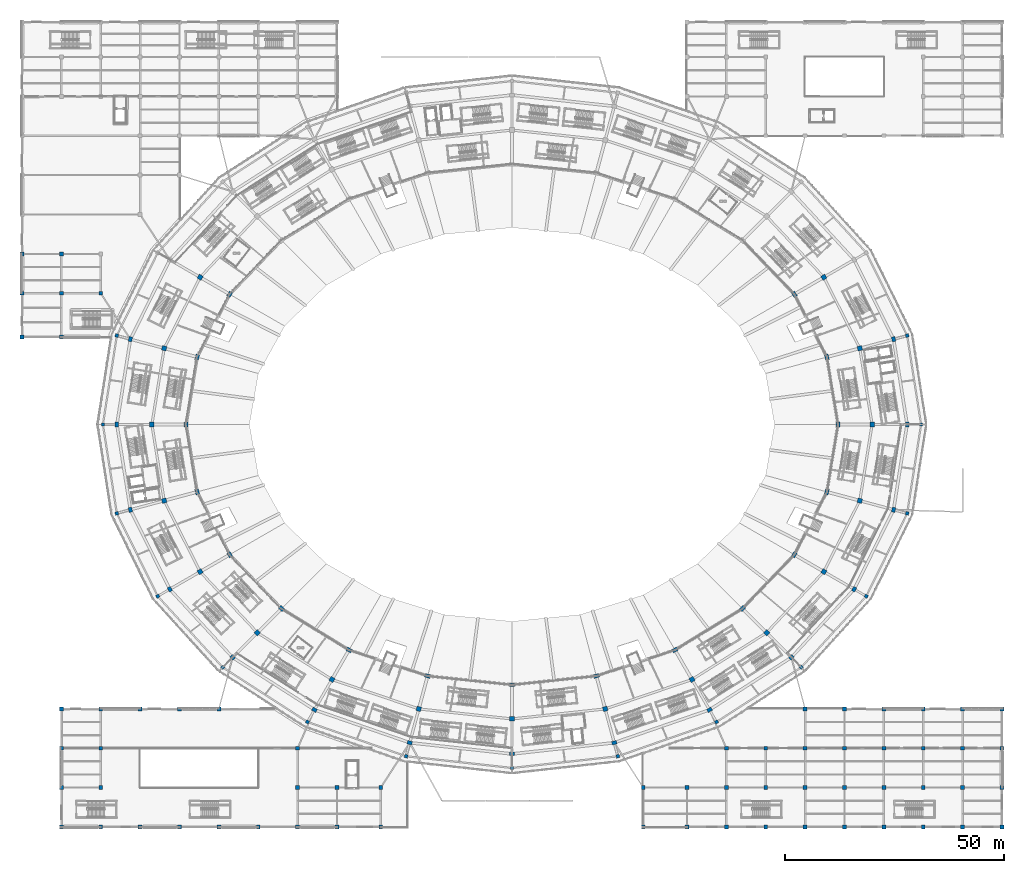
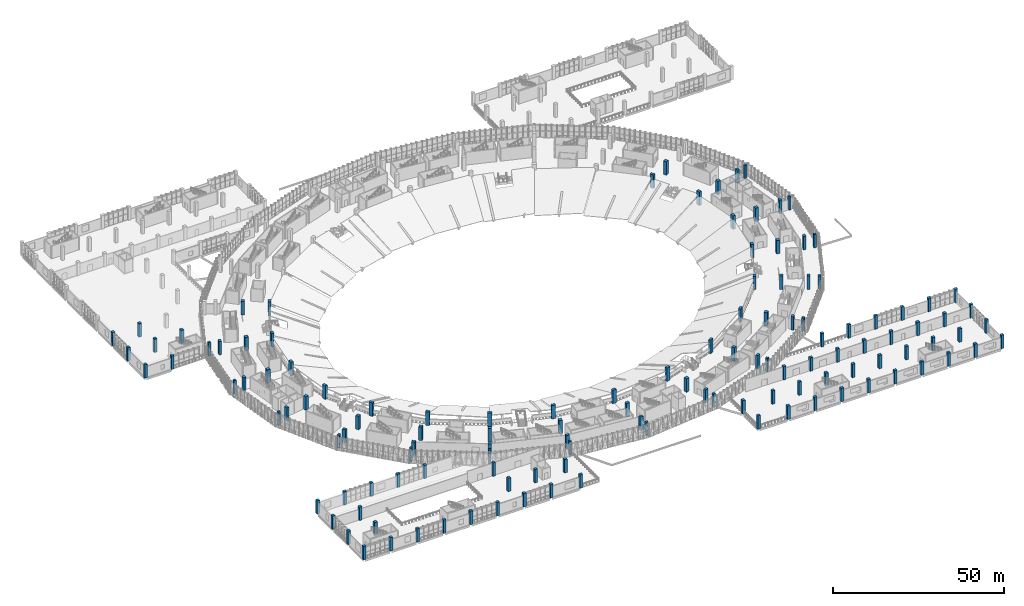
# One storey, part 1 of 183: 127 columns.
"""IFC4 building model written with IfcOpenShell, lengths in metres."""

from ifc_helpers import new_model, si_unit, direction, frame, origin, origin_2d, place, context, subcontext, project, spatial, rectangle, extrude, material, material_profile, profile_set, type_object, element, save


model = new_model("IFC4")

# Units and contexts
model_context = context("Model", 3, precision=1e-05, world=origin(), true_north=direction((0.0, 1.0)))
body_context = subcontext(model_context, "Body", "Model", "MODEL_VIEW")
ifc_project = project(units=[si_unit("LENGTHUNIT", "METRE"), si_unit("AREAUNIT", "SQUARE_METRE"), si_unit("VOLUMEUNIT", "CUBIC_METRE"), si_unit("PLANEANGLEUNIT", "RADIAN"), si_unit("MASSUNIT", "GRAM", prefix="KILO")], contexts=[model_context])

# Site, building, storey
site_placement = place(None, origin())
site = spatial("IfcSite", under=ifc_project, at=site_placement, CompositionType="ELEMENT")
building_placement = place(site_placement, origin())
building = spatial("IfcBuilding", under=site, at=building_placement, Name="Zevraka Park Crest Stadium", CompositionType="ELEMENT")
storey_placement = place(building_placement, frame((0.0, 0.0, 5.39990234375)))
storey = spatial("IfcBuildingStorey", under=building, at=storey_placement, Name="L01", CompositionType="ELEMENT", Elevation=5.39990234375)

# Columns
ifc_material_1 = material(Name="Concrete C40/50", Category="concrete")
ifc_material_profile_1 = material_profile(ifc_material_1, rectangle(XDim=0.85009765625, YDim=1.25, at=origin_2d()), Name="RC 1250x850")
ifc_profile_set_1 = profile_set([ifc_material_profile_1], Name="Concrete C40/50")
column_type_1 = type_object("IfcColumnType", Name="C01", PredefinedType="COLUMN", material=ifc_profile_set_1)
for number, where, z_axis, x_axis, name in (
    (1, (186.5, 92.0, 0.0), (0.0, 0.0, 1.0), (1.0, 0.0, 0.0), "Bowl Main Column C01 L01-B-00"),
    (2, (183.9609375, 107.39990234375, 0.0), (0.0, 0.0, 1.0), (0.965925826289, 0.258819045103, 0.0), "Bowl Main Column C01 L01-B-01"),
    (3, (176.51904296875, 121.75, 0.0), (0.0, 0.0, 1.0), (0.866025403784, 0.5, 0.0), "Bowl Main Column C01 L01-B-02"),
    (4, (47.48095703125, 121.75, 0.0), (0.0, 0.0, 1.0), (-0.866025403784, 0.5, 0.0), "Bowl Main Column C01 L01-B-10"),
    (5, (40.0390625, 107.39990234375, 0.0), (0.0, 0.0, 1.0), (-0.965925826289, 0.258819045103, 0.0), "Bowl Main Column C01 L01-B-11"),
    (6, (37.5, 92.0, 0.0), (0.0, 0.0, 1.0), (1.0, 0.0, 0.0), "Bowl Main Column C01 L01-B-12"),
    (7, (40.0390625, 76.60009765625, 0.0), (0.0, 0.0, 1.0), (0.965925826289, 0.258819045103, 0.0), "Bowl Main Column C01 L01-B-13"),
    (8, (47.48095703125, 62.25, 0.0), (0.0, 0.0, 1.0), (0.866025403784, 0.5, 0.0), "Bowl Main Column C01 L01-B-14"),
    (9, (59.321044921875, 49.927001953125, 0.0), (0.0, 0.0, 1.0), (0.707106781187, 0.707106781187, 0.0), "Bowl Main Column C01 L01-B-15"),
    (10, (74.75, 40.470947265625, 0.0), (0.0, 0.0, 1.0), (0.5, 0.866025403784, 0.0), "Bowl Main Column C01 L01-B-16"),
    (11, (92.718017578125, 34.527099609375, 0.0), (0.0, 0.0, 1.0), (0.258819045103, 0.965925826289, 0.0), "Bowl Main Column C01 L01-B-17"),
    (12, (112.0, 32.5, 0.0), (0.0, 0.0, 1.0), (0.0, 1.0, 0.0), "Bowl Main Column C01 L01-B-18"),
    (13, (131.281982421875, 34.527099609375, 0.0), (0.0, 0.0, 1.0), (-0.258819045103, 0.965925826289, 0.0), "Bowl Main Column C01 L01-B-19"),
    (14, (149.25, 40.470947265625, 0.0), (0.0, 0.0, 1.0), (-0.5, 0.866025403784, 0.0), "Bowl Main Column C01 L01-B-20"),
    (15, (164.678955078125, 49.927001953125, 0.0), (0.0, 0.0, 1.0), (-0.707106781187, 0.707106781187, 0.0), "Bowl Main Column C01 L01-B-21"),
    (16, (176.51904296875, 62.25, 0.0), (0.0, 0.0, 1.0), (-0.866025403784, 0.5, 0.0), "Bowl Main Column C01 L01-B-22"),
    (17, (183.9609375, 76.60009765625, 0.0), (0.0, 0.0, 1.0), (-0.965925826289, 0.258819045103, 0.0), "Bowl Main Column C01 L01-B-23"),
):
    element("IfcColumn", number, at=place(storey_placement, frame(where, z_axis=z_axis, x_axis=x_axis)), inside=storey, type_object=column_type_1, Name=name, PredefinedType="COLUMN", context=body_context, shape_type="SweptSolid", body=[
        extrude(rectangle(XDim=0.85009765625, YDim=1.25, at=origin_2d()), origin(), (0.0, 0.0, 1.0), 4.800048828125),
    ])
ifc_material_2 = material(Name="Concrete C40/50", Category="concrete")
ifc_material_profile_2 = material_profile(ifc_material_2, rectangle(XDim=0.800048828125, YDim=1.10009765625, at=origin_2d()), Name="RC 1100x800")
ifc_profile_set_2 = profile_set([ifc_material_profile_2], Name="Concrete C40/50")
column_type_2 = type_object("IfcColumnType", Name="C02", PredefinedType="COLUMN", material=ifc_profile_set_2)
for number, where, z_axis, x_axis, name in (
    (18, (202.300048828125, 92.0, 0.0), (0.0, 0.0, 1.0), (1.0, 0.0, 0.0), "Perimeter Ring Column C02 L01-D-00"),
    (19, (199.222900390625, 111.489013671875, 0.0), (0.0, 0.0, 1.0), (0.965925826289, 0.258819045103, 0.0), "Perimeter Ring Column C02 L01-D-01"),
    (20, (24.777099609375, 111.489013671875, 0.0), (0.0, 0.0, 1.0), (-0.965925826289, 0.258819045103, 0.0), "Perimeter Ring Column C02 L01-D-11"),
    (21, (21.699951171875, 92.0, 0.0), (0.0, 0.0, 1.0), (1.0, 0.0, 0.0), "Perimeter Ring Column C02 L01-D-12"),
    (22, (24.777099609375, 72.510986328125, 0.0), (0.0, 0.0, 1.0), (0.965925826289, 0.258819045103, 0.0), "Perimeter Ring Column C02 L01-D-13"),
    (23, (33.798095703125, 54.35009765625, 0.0), (0.0, 0.0, 1.0), (0.866025403784, 0.5, 0.0), "Perimeter Ring Column C02 L01-D-14"),
    (24, (48.14794921875, 38.7548828125, 0.0), (0.0, 0.0, 1.0), (0.707106781187, 0.707106781187, 0.0), "Perimeter Ring Column C02 L01-D-15"),
    (25, (66.85009765625, 26.7880859375, 0.0), (0.0, 0.0, 1.0), (0.5, 0.866025403784, 0.0), "Perimeter Ring Column C02 L01-D-16"),
    (26, (88.62890625, 19.26611328125, 0.0), (0.0, 0.0, 1.0), (0.258819045103, 0.965925826289, 0.0), "Perimeter Ring Column C02 L01-D-17"),
    (27, (112.0, 16.699951171875, 0.0), (0.0, 0.0, 1.0), (0.0, 1.0, 0.0), "Perimeter Ring Column C02 L01-D-18"),
    (28, (135.37109375, 19.26611328125, 0.0), (0.0, 0.0, 1.0), (-0.258819045103, 0.965925826289, 0.0), "Perimeter Ring Column C02 L01-D-19"),
    (29, (157.14990234375, 26.7880859375, 0.0), (0.0, 0.0, 1.0), (-0.5, 0.866025403784, 0.0), "Perimeter Ring Column C02 L01-D-20"),
    (30, (175.85205078125, 38.7548828125, 0.0), (0.0, 0.0, 1.0), (-0.707106781187, 0.707106781187, 0.0), "Perimeter Ring Column C02 L01-D-21"),
    (31, (190.201904296875, 54.35009765625, 0.0), (0.0, 0.0, 1.0), (-0.866025403784, 0.5, 0.0), "Perimeter Ring Column C02 L01-D-22"),
    (32, (199.222900390625, 72.510986328125, 0.0), (0.0, 0.0, 1.0), (-0.965925826289, 0.258819045103, 0.0), "Perimeter Ring Column C02 L01-D-23"),
):
    element("IfcColumn", number, at=place(storey_placement, frame(where, z_axis=z_axis, x_axis=x_axis)), inside=storey, type_object=column_type_2, Name=name, PredefinedType="COLUMN", context=body_context, shape_type="SweptSolid", body=[
        extrude(rectangle(XDim=0.800048828125, YDim=1.10009765625, at=origin_2d()), origin(), (0.0, 0.0, 1.0), 4.800048828125),
    ])
ifc_material_3 = material(Name="Concrete C40/50", Category="concrete")
ifc_material_profile_3 = material_profile(ifc_material_3, rectangle(XDim=1.050048828125, YDim=1.050048828125, at=origin_2d()), Name="RC 1050x1050")
ifc_profile_set_3 = profile_set([ifc_material_profile_3], Name="Concrete C40/50")
column_type_3 = type_object("IfcColumnType", Name="C03", PredefinedType="COLUMN", material=ifc_profile_set_3)
for number, where, z_axis, x_axis, name in (
    (33, (194.300048828125, 92.0, 0.0), (0.0, 0.0, 1.0), (1.0, 0.0, 0.0), "Concourse Mid Column C03 L01-C-00"),
    (34, (191.49609375, 109.4189453125, 0.0), (0.0, 0.0, 1.0), (0.965925826289, 0.258819045103, 0.0), "Concourse Mid Column C03 L01-C-01"),
    (35, (183.27392578125, 125.64990234375, 0.0), (0.0, 0.0, 1.0), (0.866025403784, 0.5, 0.0), "Concourse Mid Column C03 L01-C-02"),
    (36, (40.72607421875, 125.64990234375, 0.0), (0.0, 0.0, 1.0), (-0.866025403784, 0.5, 0.0), "Concourse Mid Column C03 L01-C-10"),
    (37, (32.50390625, 109.4189453125, 0.0), (0.0, 0.0, 1.0), (-0.965925826289, 0.258819045103, 0.0), "Concourse Mid Column C03 L01-C-11"),
    (38, (29.699951171875, 92.0, 0.0), (0.0, 0.0, 1.0), (1.0, 0.0, 0.0), "Concourse Mid Column C03 L01-C-12"),
    (39, (32.50390625, 74.5810546875, 0.0), (0.0, 0.0, 1.0), (0.965925826289, 0.258819045103, 0.0), "Concourse Mid Column C03 L01-C-13"),
    (40, (40.72607421875, 58.35009765625, 0.0), (0.0, 0.0, 1.0), (0.866025403784, 0.5, 0.0), "Concourse Mid Column C03 L01-C-14"),
    (41, (53.804931640625, 44.412109375, 0.0), (0.0, 0.0, 1.0), (0.707106781187, 0.707106781187, 0.0), "Concourse Mid Column C03 L01-C-15"),
    (42, (70.85009765625, 33.716064453125, 0.0), (0.0, 0.0, 1.0), (0.5, 0.866025403784, 0.0), "Concourse Mid Column C03 L01-C-16"),
    (43, (90.698974609375, 26.992919921875, 0.0), (0.0, 0.0, 1.0), (0.258819045103, 0.965925826289, 0.0), "Concourse Mid Column C03 L01-C-17"),
    (44, (112.0, 24.699951171875, 0.0), (0.0, 0.0, 1.0), (0.0, 1.0, 0.0), "Concourse Mid Column C03 L01-C-18"),
    (45, (133.301025390625, 26.992919921875, 0.0), (0.0, 0.0, 1.0), (-0.258819045103, 0.965925826289, 0.0), "Concourse Mid Column C03 L01-C-19"),
    (46, (153.14990234375, 33.716064453125, 0.0), (0.0, 0.0, 1.0), (-0.5, 0.866025403784, 0.0), "Concourse Mid Column C03 L01-C-20"),
    (47, (170.195068359375, 44.412109375, 0.0), (0.0, 0.0, 1.0), (-0.707106781187, 0.707106781187, 0.0), "Concourse Mid Column C03 L01-C-21"),
    (48, (183.27392578125, 58.35009765625, 0.0), (0.0, 0.0, 1.0), (-0.866025403784, 0.5, 0.0), "Concourse Mid Column C03 L01-C-22"),
    (49, (191.49609375, 74.5810546875, 0.0), (0.0, 0.0, 1.0), (-0.965925826289, 0.258819045103, 0.0), "Concourse Mid Column C03 L01-C-23"),
):
    element("IfcColumn", number, at=place(storey_placement, frame(where, z_axis=z_axis, x_axis=x_axis)), inside=storey, type_object=column_type_3, Name=name, PredefinedType="COLUMN", context=body_context, shape_type="SweptSolid", body=[
        extrude(rectangle(XDim=1.050048828125, YDim=1.050048828125, at=origin_2d()), origin(), (0.0, 0.0, 1.0), 4.800048828125),
    ])
ifc_material_4 = material(Name="Concrete C40/50", Category="concrete")
ifc_material_profile_4 = material_profile(ifc_material_4, rectangle(XDim=0.89990234375, YDim=0.89990234375, at=origin_2d()), Name="RC 900x900")
ifc_profile_set_4 = profile_set([ifc_material_profile_4], Name="Concrete C40/50")
column_type_4 = type_object("IfcColumnType", Name="C04", PredefinedType="COLUMN", material=ifc_profile_set_4)
for number, where, z_axis, x_axis, name in (
    (50, (0.0, 112.0, 0.0), (0.0, 0.0, 1.0), (1.0, 0.0, 0.0), "Wing Column C04 L01-1/N"),
    (51, (0.0, 122.0, 0.0), (0.0, 0.0, 1.0), (1.0, 0.0, 0.0), "Wing Column C04 L01-1/P"),
    (52, (0.0, 131.0, 0.0), (0.0, 0.0, 1.0), (1.0, 0.0, 0.0), "Wing Column C04 L01-1/Q"),
    (53, (9.0, 112.0, 0.0), (0.0, 0.0, 1.0), (1.0, 0.0, 0.0), "Wing Column C04 L01-2/N"),
    (54, (9.0, 122.0, 0.0), (0.0, 0.0, 1.0), (1.0, 0.0, 0.0), "Wing Column C04 L01-2/P"),
    (55, (9.0, 131.0, 0.0), (0.0, 0.0, 1.0), (1.0, 0.0, 0.0), "Wing Column C04 L01-2/Q"),
    (56, (18.0, 122.0, 0.0), (0.0, 0.0, 1.0), (1.0, 0.0, 0.0), "Wing Column C04 L01-3/P"),
    (57, (9.0, 0.0, 0.0), (0.0, 0.0, 1.0), (1.0, 0.0, 0.0), "Wing Column C04 L01-2/A"),
    (58, (9.0, 9.0, 0.0), (0.0, 0.0, 1.0), (1.0, 0.0, 0.0), "Wing Column C04 L01-2/B"),
    (59, (9.0, 18.0, 0.0), (0.0, 0.0, 1.0), (1.0, 0.0, 0.0), "Wing Column C04 L01-2/C"),
    (60, (9.0, 27.0, 0.0), (0.0, 0.0, 1.0), (1.0, 0.0, 0.0), "Wing Column C04 L01-2/D"),
    (61, (18.0, 0.0, 0.0), (0.0, 0.0, 1.0), (1.0, 0.0, 0.0), "Wing Column C04 L01-3/A"),
    (62, (18.0, 9.0, 0.0), (0.0, 0.0, 1.0), (1.0, 0.0, 0.0), "Wing Column C04 L01-3/B"),
    (63, (18.0, 18.0, 0.0), (0.0, 0.0, 1.0), (1.0, 0.0, 0.0), "Wing Column C04 L01-3/C"),
    (64, (18.0, 27.0, 0.0), (0.0, 0.0, 1.0), (1.0, 0.0, 0.0), "Wing Column C04 L01-3/D"),
    (65, (27.0, 0.0, 0.0), (0.0, 0.0, 1.0), (1.0, 0.0, 0.0), "Wing Column C04 L01-4/A"),
    (66, (27.0, 27.0, 0.0), (0.0, 0.0, 1.0), (1.0, 0.0, 0.0), "Wing Column C04 L01-4/D"),
    (67, (36.0, 0.0, 0.0), (0.0, 0.0, 1.0), (1.0, 0.0, 0.0), "Wing Column C04 L01-5/A"),
    (68, (36.0, 27.0, 0.0), (0.0, 0.0, 1.0), (1.0, 0.0, 0.0), "Wing Column C04 L01-5/D"),
    (69, (45.0, 0.0, 0.0), (0.0, 0.0, 1.0), (1.0, 0.0, 0.0), "Wing Column C04 L01-6/A"),
    (70, (45.0, 27.0, 0.0), (0.0, 0.0, 1.0), (1.0, 0.0, 0.0), "Wing Column C04 L01-6/D"),
    (71, (54.0, 0.0, 0.0), (0.0, 0.0, 1.0), (1.0, 0.0, 0.0), "Wing Column C04 L01-7/A"),
    (72, (63.0, 0.0, 0.0), (0.0, 0.0, 1.0), (1.0, 0.0, 0.0), "Wing Column C04 L01-8/A"),
    (73, (63.0, 9.0, 0.0), (0.0, 0.0, 1.0), (1.0, 0.0, 0.0), "Wing Column C04 L01-8/B"),
    (74, (63.0, 18.0, 0.0), (0.0, 0.0, 1.0), (1.0, 0.0, 0.0), "Wing Column C04 L01-8/C"),
    (75, (72.0, 0.0, 0.0), (0.0, 0.0, 1.0), (1.0, 0.0, 0.0), "Wing Column C04 L01-9/A"),
    (76, (72.0, 9.0, 0.0), (0.0, 0.0, 1.0), (1.0, 0.0, 0.0), "Wing Column C04 L01-9/B"),
    (77, (82.0, 0.0, 0.0), (0.0, 0.0, 1.0), (1.0, 0.0, 0.0), "Wing Column C04 L01-10/A"),
    (78, (82.0, 9.0, 0.0), (0.0, 0.0, 1.0), (1.0, 0.0, 0.0), "Wing Column C04 L01-10/B"),
    (79, (142.0, 0.0, 0.0), (0.0, 0.0, 1.0), (1.0, 0.0, 0.0), "Wing Column C04 L01-16/A"),
    (80, (142.0, 9.0, 0.0), (0.0, 0.0, 1.0), (1.0, 0.0, 0.0), "Wing Column C04 L01-16/B"),
    (81, (152.0, 0.0, 0.0), (0.0, 0.0, 1.0), (1.0, 0.0, 0.0), "Wing Column C04 L01-17/A"),
    (82, (152.0, 9.0, 0.0), (0.0, 0.0, 1.0), (1.0, 0.0, 0.0), "Wing Column C04 L01-17/B"),
    (83, (161.0, 0.0, 0.0), (0.0, 0.0, 1.0), (1.0, 0.0, 0.0), "Wing Column C04 L01-18/A"),
    (84, (161.0, 9.0, 0.0), (0.0, 0.0, 1.0), (1.0, 0.0, 0.0), "Wing Column C04 L01-18/B"),
    (85, (161.0, 18.0, 0.0), (0.0, 0.0, 1.0), (1.0, 0.0, 0.0), "Wing Column C04 L01-18/C"),
    (86, (170.0, 0.0, 0.0), (0.0, 0.0, 1.0), (1.0, 0.0, 0.0), "Wing Column C04 L01-19/A"),
    (87, (170.0, 9.0, 0.0), (0.0, 0.0, 1.0), (1.0, 0.0, 0.0), "Wing Column C04 L01-19/B"),
    (88, (170.0, 18.0, 0.0), (0.0, 0.0, 1.0), (1.0, 0.0, 0.0), "Wing Column C04 L01-19/C"),
    (89, (179.0, 0.0, 0.0), (0.0, 0.0, 1.0), (1.0, 0.0, 0.0), "Wing Column C04 L01-20/A"),
    (90, (179.0, 9.0, 0.0), (0.0, 0.0, 1.0), (1.0, 0.0, 0.0), "Wing Column C04 L01-20/B"),
    (91, (179.0, 18.0, 0.0), (0.0, 0.0, 1.0), (1.0, 0.0, 0.0), "Wing Column C04 L01-20/C"),
    (92, (179.0, 27.0, 0.0), (0.0, 0.0, 1.0), (1.0, 0.0, 0.0), "Wing Column C04 L01-20/D"),
    (93, (188.0, 0.0, 0.0), (0.0, 0.0, 1.0), (1.0, 0.0, 0.0), "Wing Column C04 L01-21/A"),
    (94, (188.0, 9.0, 0.0), (0.0, 0.0, 1.0), (1.0, 0.0, 0.0), "Wing Column C04 L01-21/B"),
    (95, (188.0, 18.0, 0.0), (0.0, 0.0, 1.0), (1.0, 0.0, 0.0), "Wing Column C04 L01-21/C"),
    (96, (188.0, 27.0, 0.0), (0.0, 0.0, 1.0), (1.0, 0.0, 0.0), "Wing Column C04 L01-21/D"),
    (97, (197.0, 0.0, 0.0), (0.0, 0.0, 1.0), (1.0, 0.0, 0.0), "Wing Column C04 L01-22/A"),
    (98, (197.0, 9.0, 0.0), (0.0, 0.0, 1.0), (1.0, 0.0, 0.0), "Wing Column C04 L01-22/B"),
    (99, (197.0, 18.0, 0.0), (0.0, 0.0, 1.0), (1.0, 0.0, 0.0), "Wing Column C04 L01-22/C"),
    (100, (197.0, 27.0, 0.0), (0.0, 0.0, 1.0), (1.0, 0.0, 0.0), "Wing Column C04 L01-22/D"),
    (101, (206.0, 0.0, 0.0), (0.0, 0.0, 1.0), (1.0, 0.0, 0.0), "Wing Column C04 L01-23/A"),
    (102, (206.0, 9.0, 0.0), (0.0, 0.0, 1.0), (1.0, 0.0, 0.0), "Wing Column C04 L01-23/B"),
    (103, (206.0, 18.0, 0.0), (0.0, 0.0, 1.0), (1.0, 0.0, 0.0), "Wing Column C04 L01-23/C"),
    (104, (206.0, 27.0, 0.0), (0.0, 0.0, 1.0), (1.0, 0.0, 0.0), "Wing Column C04 L01-23/D"),
    (105, (215.0, 0.0, 0.0), (0.0, 0.0, 1.0), (1.0, 0.0, 0.0), "Wing Column C04 L01-24/A"),
    (106, (215.0, 9.0, 0.0), (0.0, 0.0, 1.0), (1.0, 0.0, 0.0), "Wing Column C04 L01-24/B"),
    (107, (215.0, 18.0, 0.0), (0.0, 0.0, 1.0), (1.0, 0.0, 0.0), "Wing Column C04 L01-24/C"),
    (108, (215.0, 27.0, 0.0), (0.0, 0.0, 1.0), (1.0, 0.0, 0.0), "Wing Column C04 L01-24/D"),
    (109, (224.0, 0.0, 0.0), (0.0, 0.0, 1.0), (1.0, 0.0, 0.0), "Wing Column C04 L01-25/A"),
    (110, (224.0, 9.0, 0.0), (0.0, 0.0, 1.0), (1.0, 0.0, 0.0), "Wing Column C04 L01-25/B"),
    (111, (224.0, 18.0, 0.0), (0.0, 0.0, 1.0), (1.0, 0.0, 0.0), "Wing Column C04 L01-25/C"),
    (112, (224.0, 27.0, 0.0), (0.0, 0.0, 1.0), (1.0, 0.0, 0.0), "Wing Column C04 L01-25/D"),
):
    element("IfcColumn", number, at=place(storey_placement, frame(where, z_axis=z_axis, x_axis=x_axis)), inside=storey, type_object=column_type_4, Name=name, PredefinedType="COLUMN", context=body_context, shape_type="SweptSolid", body=[
        extrude(rectangle(XDim=0.89990234375, YDim=0.89990234375, at=origin_2d()), origin(), (0.0, 0.0, 1.0), 4.800048828125),
    ])
ifc_material_5 = material(Name="Concrete C40/50", Category="concrete")
ifc_material_profile_5 = material_profile(ifc_material_5, rectangle(XDim=0.75, YDim=0.75, at=origin_2d()), Name="RC 750x750")
ifc_profile_set_5 = profile_set([ifc_material_profile_5], Name="Concrete C40/50")
column_type_5 = type_object("IfcColumnType", Name="C05", PredefinedType="COLUMN", material=ifc_profile_set_5)
for number, where, z_axis, x_axis, name in (
    (113, (205.5, 92.0, 0.0), (0.0, 0.0, 1.0), (1.0, 0.0, 0.0), "Arcade Cumba Column C05 L01-E-00"),
    (114, (202.31396484375, 112.31689453125, 0.0), (0.0, 0.0, 1.0), (0.965925826289, 0.258819045103, 0.0), "Arcade Cumba Column C05 L01-E-01"),
    (115, (21.68603515625, 112.31689453125, 0.0), (0.0, 0.0, 1.0), (-0.965925826289, 0.258819045103, 0.0), "Arcade Cumba Column C05 L01-E-11"),
    (116, (18.5, 92.0, 0.0), (0.0, 0.0, 1.0), (1.0, 0.0, 0.0), "Arcade Cumba Column C05 L01-E-12"),
    (117, (21.68603515625, 71.68310546875, 0.0), (0.0, 0.0, 1.0), (0.965925826289, 0.258819045103, 0.0), "Arcade Cumba Column C05 L01-E-13"),
    (118, (31.027099609375, 52.75, 0.0), (0.0, 0.0, 1.0), (0.866025403784, 0.5, 0.0), "Arcade Cumba Column C05 L01-E-14"),
    (119, (45.885986328125, 36.491943359375, 0.0), (0.0, 0.0, 1.0), (0.707106781187, 0.707106781187, 0.0), "Arcade Cumba Column C05 L01-E-15"),
    (120, (65.25, 24.01708984375, 0.0), (0.0, 0.0, 1.0), (0.5, 0.866025403784, 0.0), "Arcade Cumba Column C05 L01-E-16"),
    (121, (87.800048828125, 16.175048828125, 0.0), (0.0, 0.0, 1.0), (0.258819045103, 0.965925826289, 0.0), "Arcade Cumba Column C05 L01-E-17"),
    (122, (112.0, 13.5, 0.0), (0.0, 0.0, 1.0), (0.0, 1.0, 0.0), "Arcade Cumba Column C05 L01-E-18"),
    (123, (136.199951171875, 16.175048828125, 0.0), (0.0, 0.0, 1.0), (-0.258819045103, 0.965925826289, 0.0), "Arcade Cumba Column C05 L01-E-19"),
    (124, (158.75, 24.01708984375, 0.0), (0.0, 0.0, 1.0), (-0.5, 0.866025403784, 0.0), "Arcade Cumba Column C05 L01-E-20"),
    (125, (178.114013671875, 36.491943359375, 0.0), (0.0, 0.0, 1.0), (-0.707106781187, 0.707106781187, 0.0), "Arcade Cumba Column C05 L01-E-21"),
    (126, (192.972900390625, 52.75, 0.0), (0.0, 0.0, 1.0), (-0.866025403784, 0.5, 0.0), "Arcade Cumba Column C05 L01-E-22"),
    (127, (202.31396484375, 71.68310546875, 0.0), (0.0, 0.0, 1.0), (-0.965925826289, 0.258819045103, 0.0), "Arcade Cumba Column C05 L01-E-23"),
):
    element("IfcColumn", number, at=place(storey_placement, frame(where, z_axis=z_axis, x_axis=x_axis)), inside=storey, type_object=column_type_5, Name=name, PredefinedType="COLUMN", context=body_context, shape_type="SweptSolid", body=[
        extrude(rectangle(XDim=0.75, YDim=0.75, at=origin_2d()), origin(), (0.0, 0.0, 1.0), 4.800048828125),
    ])

save(model, "model.ifc")
